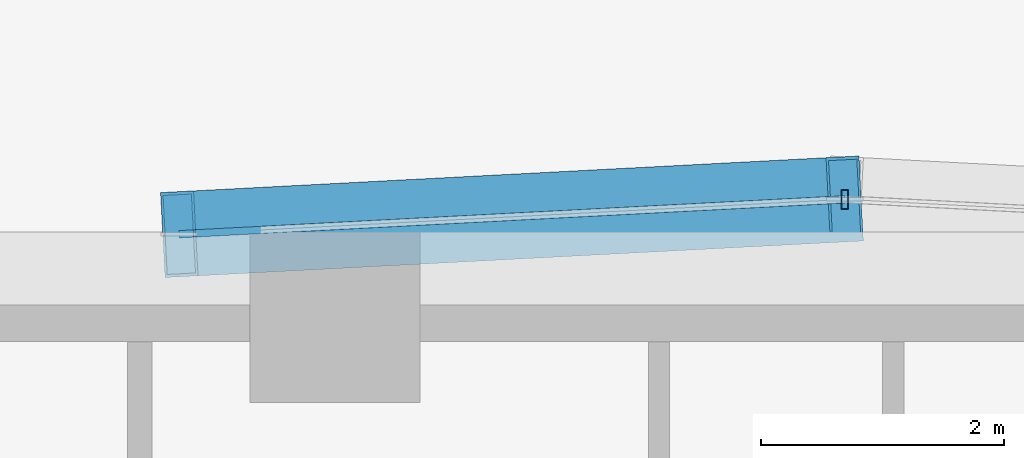
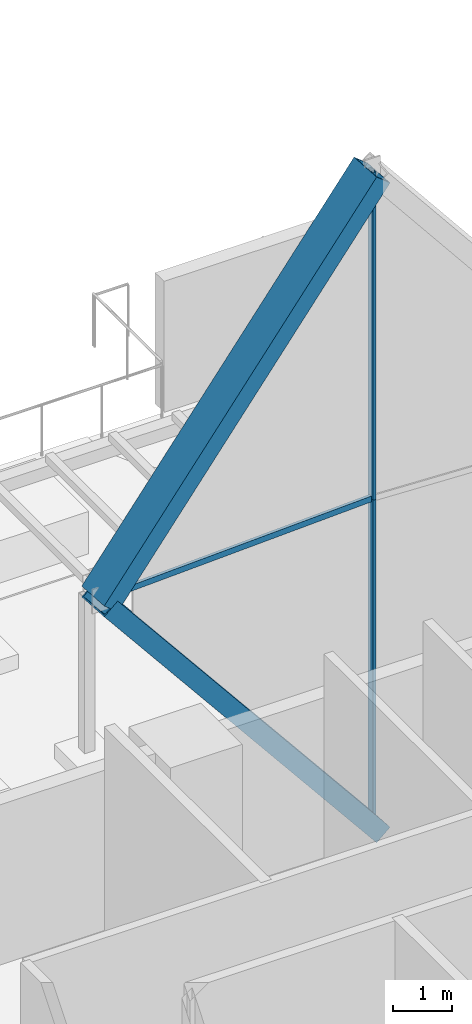
# One storey, part 44 of 71: 5 members, 2 elements without a shape of their own.
"""IFC4 building model written with IfcOpenShell, lengths in metres."""

from ifc_helpers import new_model, si_unit, direction, frame, origin, origin_2d, place, context, subcontext, project, spatial, hollow_rectangle, extrude, material, material_profile, profile_set, type_object, element, aggregate, save


model = new_model("IFC4")

# Units and contexts
model_context = context("Model", 3, precision=1e-05, world=origin(), true_north=direction((0.0, 1.0)))
body_context = subcontext(model_context, "Body", "Model", "MODEL_VIEW")
ifc_project = project(units=[si_unit("LENGTHUNIT", "METRE"), si_unit("AREAUNIT", "SQUARE_METRE"), si_unit("VOLUMEUNIT", "CUBIC_METRE"), si_unit("PLANEANGLEUNIT", "RADIAN"), si_unit("MASSUNIT", "GRAM", prefix="KILO")], contexts=[model_context])

# Site, building, storey
site_placement = place(None, origin())
site = spatial("IfcSite", under=ifc_project, at=site_placement, CompositionType="ELEMENT")
building_placement = place(site_placement, origin())
building = spatial("IfcBuilding", under=site, at=building_placement, Name="Ostrander Bayou Hotel Tower", CompositionType="ELEMENT")
storey_placement = place(building_placement, frame((0.0, 0.0, 10.0)))
storey = spatial("IfcBuildingStorey", under=building, at=storey_placement, Name="L02", CompositionType="ELEMENT", Elevation=10.0)

# Curtain wall, members
ifc_material_1 = material(Name="Aluminium and clear glass", Category="aluminium")
curtain_wall_type = type_object("IfcCurtainWallType", Name="CW-LAT lattice glazing", PredefinedType="NOTDEFINED", material=ifc_material_1)
curtain_wall_1_placement = place(storey_placement, origin())
curtain_wall_1 = element("IfcCurtainWall", 1, at=curtain_wall_1_placement, inside=storey, type_object=curtain_wall_type, Name="CW-LAT L02 N 1", PredefinedType="NOTDEFINED")
ifc_material_2 = material(Name="Aluminium", Category="aluminium")
ifc_material_profile_1 = material_profile(ifc_material_2, hollow_rectangle(XDim=0.06005859375, YDim=0.159912109375, WallThickness=0.00390625, at=origin_2d()))
ifc_profile_set_1 = profile_set([ifc_material_profile_1], Name="Aluminium")
member_type_1 = type_object("IfcMemberType", Name="CW-LA mullion 60 x 160 mm", PredefinedType="MULLION", material=ifc_profile_set_1)
member_1_placement = place(storey_placement, frame((0.0, 22.070068359375, -0.60009765625), z_axis=(0.0, 0.0, 1.0), x_axis=(1.0, 0.0, 0.0)))
member_1 = element("IfcMember", 2, at=member_1_placement, type_object=member_type_1, Name="CW-LAT mullion 1", PredefinedType="MULLION", context=body_context, shape_type="SweptSolid", body=[
    extrude(hollow_rectangle(XDim=0.06005859375, YDim=0.159912109375, WallThickness=0.00390625, at=origin_2d()), origin(), (0.0, 0.0, 1.0), 6.75),
])
member_2_placement = place(storey_placement, frame((0.0, 22.070068359375, 6.14990234375), z_axis=(0.0, 0.0, 1.0), x_axis=(1.0, 0.0, 0.0)))
member_2 = element("IfcMember", 3, at=member_2_placement, type_object=member_type_1, Name="CW-LAT mullion 2", PredefinedType="MULLION", context=body_context, shape_type="SweptSolid", body=[
    extrude(hollow_rectangle(XDim=0.06005859375, YDim=0.159912109375, WallThickness=0.00390625, at=origin_2d()), origin(), (0.0, 0.0, 1.0), 6.75),
])
aggregate(curtain_wall_1, [member_1, member_2])

# Curtain wall, member
curtain_wall_2_placement = place(storey_placement, origin())
curtain_wall_2 = element("IfcCurtainWall", 4, at=curtain_wall_2_placement, inside=storey, type_object=curtain_wall_type, Name="CW-LAT L02 N 2", PredefinedType="NOTDEFINED")
ifc_material_3 = material(Name="Aluminium", Category="aluminium")
ifc_material_profile_2 = material_profile(ifc_material_3, hollow_rectangle(XDim=0.06005859375, YDim=0.1201171875, WallThickness=0.00390625, at=origin_2d()))
ifc_profile_set_2 = profile_set([ifc_material_profile_2], Name="Aluminium")
member_type_2 = type_object("IfcMemberType", Name="CW-LA transom 60 x 120 mm", PredefinedType="USERDEFINED", material=ifc_profile_set_2)
member_3_placement = place(storey_placement, frame((0.0, 22.070068359375, 6.14990234375), z_axis=(-0.998630347454, -0.052320446705, 0.0), x_axis=(0.052320446705, -0.998630347454, 0.0)))
member_3 = element("IfcMember", 5, at=member_3_placement, type_object=member_type_2, Name="CW-LAT transom 4", ObjectType="TRANSOM", PredefinedType="USERDEFINED", context=body_context, shape_type="SweptSolid", body=[
    extrude(hollow_rectangle(XDim=0.06005859375, YDim=0.1201171875, WallThickness=0.00390625, at=origin_2d()), origin(), (0.0, 0.0, 1.0), 5.48291015625),
])
aggregate(curtain_wall_2, [member_3])

# Members
ifc_material_4 = material(Name="Steel ASTM A572 Gr 50", Category="steel")
ifc_material_profile_3 = material_profile(ifc_material_4, hollow_rectangle(XDim=0.699951171875, YDim=0.35009765625, WallThickness=0.02490234375, at=origin_2d()))
ifc_profile_set_3 = profile_set([ifc_material_profile_3], Name="Steel ASTM A572 Gr 50")
member_type_3 = type_object("IfcMemberType", Name="LT1 lattice member box 700 x 350 x 25 mm", PredefinedType="BRACE", material=ifc_profile_set_3)
for number, where, z_axis, x_axis, name in (
    (6, (-5.475341796875, 21.783203125, 6.14990234375), (0.629623537067, 0.032987365945, -0.77619973928), (-0.052320446705, 0.998630347454, 0.0), "LT1 L02 N 3"),
    (7, (-5.475341796875, 21.783203125, 6.14990234375), (0.629623537067, 0.032987365945, 0.77619973928), (-0.052320446705, 0.998630347454, 0.0), "LT1 L02 N 4"),
):
    element("IfcMember", number, at=place(storey_placement, frame(where, z_axis=z_axis, x_axis=x_axis)), inside=storey, type_object=member_type_3, Name=name, PredefinedType="BRACE", context=body_context, shape_type="SweptSolid", body=[
        extrude(hollow_rectangle(XDim=0.699951171875, YDim=0.35009765625, WallThickness=0.02490234375, at=origin_2d()), origin(), (0.0, 0.0, 1.0), 8.6962890625),
    ])

save(model, "model.ifc")
